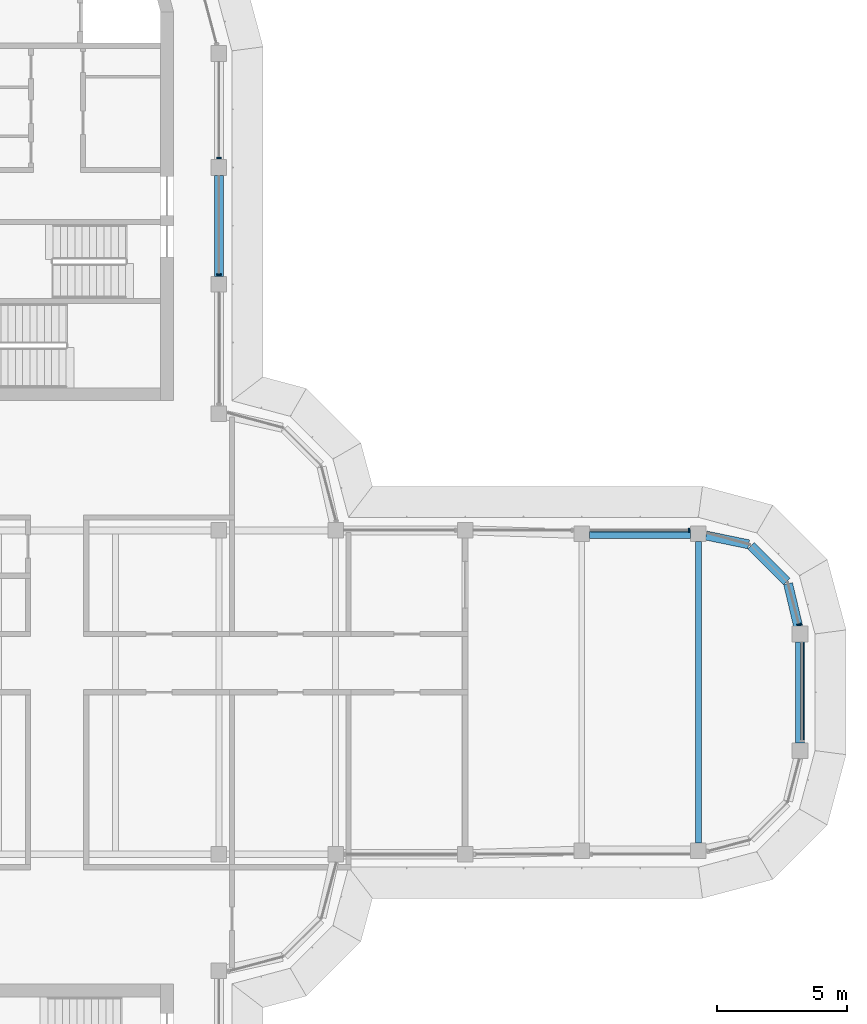
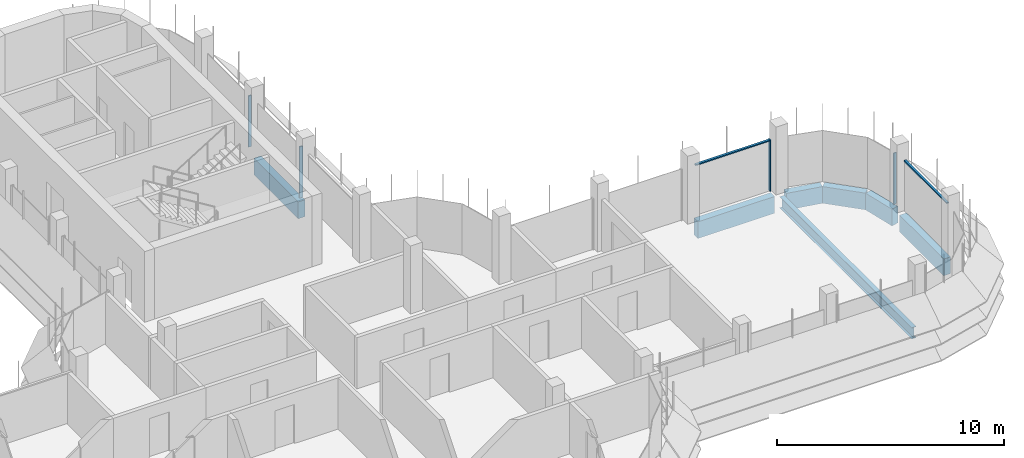
# One storey, part 9 of 19: 7 beams, 6 members, 4 elements without a shape of their own.
"""IFC4 building model written with IfcOpenShell, lengths in metres."""

import ifcopenshell
import ifcopenshell.guid

model = None  # the IFC model being written
_history = None  # IfcOwnerHistory: only IFC2X3 demands one
_inside = {}  # id of a spatial element -> (the spatial element, [elements in it])
_under = {}  # id of a project, library or spatial element -> (it, [spatial elements below it])
_declared = {}  # id of a project -> (the project, [libraries it declares])
_typed = {}  # id of a type object -> (the type object, [elements of that type])
_made_of = {}  # id of a material, layer set ... -> (it, [elements and type objects made of it])


def new_model(schema):
    """Start an empty IFC model of exactly this schema.

    Asked for "IFC4X3", IfcOpenShell would pick the latest addendum, in which some entities
    have other attributes; the version numbers below select the first issue.
    IFC2X3 requires an IfcOwnerHistory on every rooted entity: one is made here for all.
    """
    global model, _history
    if schema == "IFC4X3":
        model = ifcopenshell.file(schema_version=(4, 3, 0, 0))
    else:
        model = ifcopenshell.file(schema=schema)
    _inside.clear()
    _under.clear()
    _declared.clear()
    _typed.clear()
    _made_of.clear()
    _history = None
    if model.schema == "IFC2X3":
        org = make("IfcOrganization", Name="unknown")
        user = make(
            "IfcPersonAndOrganization",
            ThePerson=make("IfcPerson", FamilyName="unknown"),
            TheOrganization=org,
        )
        app = make(
            "IfcApplication",
            ApplicationDeveloper=org,
            Version="unknown",
            ApplicationFullName="unknown",
            ApplicationIdentifier="unknown",
        )
        _history = make(
            "IfcOwnerHistory",
            OwningUser=user,
            OwningApplication=app,
            ChangeAction="ADDED",
            CreationDate=0,
        )
    return model


def make(cls, **values):
    """One entity of the class cls with the attributes given. An attribute that is None is left unset."""
    return model.create_entity(
        cls, **{name: value for name, value in values.items() if value is not None}
    )


def rooted(cls, **values):
    """An entity with a GlobalId (a new one), such as an element, a storey or a relation."""
    return make(cls, GlobalId=ifcopenshell.guid.new(), OwnerHistory=_history, **values)


def si_unit(unit_type, name, prefix=None):
    """IfcSIUnit, for example si_unit("LENGTHUNIT", "METRE", prefix="MILLI")."""
    return make("IfcSIUnit", UnitType=unit_type, Prefix=prefix, Name=name)


def assignment(units):
    """IfcUnitAssignment: the units of a project."""
    return None if units is None else make("IfcUnitAssignment", Units=units)


def point(xyz):
    """IfcCartesianPoint."""
    return None if xyz is None else make("IfcCartesianPoint", Coordinates=xyz)


def direction(xyz):
    """IfcDirection."""
    return None if xyz is None else make("IfcDirection", DirectionRatios=xyz)


def frame(location, z_axis=None, x_axis=None):
    """IfcAxis2Placement3D, a coordinate frame: its origin and axes. An axis left out is left unset."""
    return make(
        "IfcAxis2Placement3D",
        Location=point(location),
        Axis=direction(z_axis),
        RefDirection=direction(x_axis),
    )


def frame_2d(location, x_axis=None):
    """IfcAxis2Placement2D, a coordinate frame in the plane: its origin and x axis."""
    return make(
        "IfcAxis2Placement2D", Location=point(location), RefDirection=direction(x_axis)
    )


def origin():
    """The frame at (0, 0, 0) with its axes left unset."""
    return frame((0.0, 0.0, 0.0))


def origin_2d():
    """The frame at (0, 0) in the plane with its x axis left unset."""
    return frame_2d((0.0, 0.0))


def place(relative_to, where):
    """IfcLocalPlacement: puts the frame where relative to a parent placement (None: the world)."""
    return make(
        "IfcLocalPlacement", PlacementRelTo=relative_to, RelativePlacement=where
    )


def context(
    kind, dimensions, precision=None, world=None, true_north=None, identifier=None
):
    """IfcGeometricRepresentationContext, for example the 3D "Model" context."""
    return make(
        "IfcGeometricRepresentationContext",
        ContextIdentifier=identifier,
        ContextType=kind,
        CoordinateSpaceDimension=dimensions,
        Precision=precision,
        WorldCoordinateSystem=world,
        TrueNorth=true_north,
    )


def subcontext(parent, identifier, kind, view, scale=None):
    """IfcGeometricRepresentationSubContext, for example "Body" below "Model"."""
    return make(
        "IfcGeometricRepresentationSubContext",
        ContextIdentifier=identifier,
        ContextType=kind,
        ParentContext=parent,
        TargetScale=scale,
        TargetView=view,
    )


def project(units=None, contexts=None):
    """IfcProject with its units and contexts."""
    return rooted(
        "IfcProject",
        Name="project",
        RepresentationContexts=contexts,
        UnitsInContext=assignment(units),
    )


def spatial(cls, under=None, at=None, **own):
    """A site, building, storey or space (cls), placed at a placement, below another one or the project."""
    s = rooted(cls, ObjectPlacement=at, **own)
    if under is not None:
        _under.setdefault(under.id(), (under, []))[1].append(s)
    return s


def polyline(points):
    """IfcPolyline through the points."""
    return make("IfcPolyline", Points=[point(p) for p in points])


def profile(cls, at=None, kind="AREA", **sizes):
    """A parametric profile (cls). Its sizes go by their IFC names, for example OverallWidth=200.0."""
    return make(cls, ProfileType=kind, Position=at, **sizes)


def rectangle(**sizes):
    """IfcRectangleProfileDef."""
    return profile("IfcRectangleProfileDef", **sizes)


def i_section(**sizes):
    """IfcIShapeProfileDef."""
    return profile("IfcIShapeProfileDef", **sizes)


def outline(outer, holes=None, kind="AREA"):
    """IfcArbitraryClosedProfileDef: a profile drawn as a closed curve; with holes, ...WithVoids."""
    if holes is None:
        return make("IfcArbitraryClosedProfileDef", ProfileType=kind, OuterCurve=outer)
    return make(
        "IfcArbitraryProfileDefWithVoids",
        ProfileType=kind,
        OuterCurve=outer,
        InnerCurves=holes,
    )


def extrude(swept, where, along, depth):
    """IfcExtrudedAreaSolid: the profile swept, set in the frame where, extruded along a direction by depth."""
    return make(
        "IfcExtrudedAreaSolid",
        SweptArea=swept,
        Position=where,
        ExtrudedDirection=direction(along),
        Depth=depth,
    )


def shape(context_of_items, identifier, shape_type, items):
    """IfcShapeRepresentation: the items that make up one representation, for example the "Body"."""
    return make(
        "IfcShapeRepresentation",
        ContextOfItems=context_of_items,
        RepresentationIdentifier=identifier,
        RepresentationType=shape_type,
        Items=items,
    )


def source(mapping_origin, context_of_items, identifier, shape_type, items):
    """IfcRepresentationMap: a shape defined once, which mapped items show again and again."""
    return make(
        "IfcRepresentationMap",
        MappingOrigin=mapping_origin,
        MappedRepresentation=shape(context_of_items, identifier, shape_type, items),
    )


def transform(
    local_origin,
    x_axis=None,
    y_axis=None,
    z_axis=None,
    scale=None,
    scale2=None,
    scale3=None,
    uniform=True,
):
    """IfcCartesianTransformationOperator3D, or its non-uniform kind. x_axis, y_axis, z_axis: its Axis1, 2, 3."""
    if uniform:
        return make(
            "IfcCartesianTransformationOperator3D",
            Axis1=direction(x_axis),
            Axis2=direction(y_axis),
            LocalOrigin=point(local_origin),
            Scale=scale,
            Axis3=direction(z_axis),
        )
    return make(
        "IfcCartesianTransformationOperator3DnonUniform",
        Axis1=direction(x_axis),
        Axis2=direction(y_axis),
        LocalOrigin=point(local_origin),
        Scale=scale,
        Axis3=direction(z_axis),
        Scale2=scale2,
        Scale3=scale3,
    )


def mapped(mapping_source, mapping_target):
    """IfcMappedItem: shows the shape of a source again, moved by a transform."""
    return make(
        "IfcMappedItem", MappingSource=mapping_source, MappingTarget=mapping_target
    )


def material(Name=None, Category=None):
    """IfcMaterial."""
    return make("IfcMaterial", Name=Name, Category=Category)


def material_profile(
    of_material, cross_section, Name=None, Category=None, Priority=None
):
    """IfcMaterialProfile: a cross section and its material."""
    return make(
        "IfcMaterialProfile",
        Name=Name,
        Material=of_material,
        Profile=cross_section,
        Priority=Priority,
        Category=Category,
    )


def profile_set(profiles, Name=None, composite=None):
    """IfcMaterialProfileSet."""
    return make(
        "IfcMaterialProfileSet",
        Name=Name,
        MaterialProfiles=profiles,
        CompositeProfile=composite,
    )


def made_of(thing, what):
    """Note that an element or type object is made of a material, layer set ...; save() writes the relation."""
    if what is not None:
        _made_of.setdefault(what.id(), (what, []))[1].append(thing)
    return thing


def type_object(cls, material=None, **own):
    """A type object (cls), such as IfcWallType, which elements share."""
    return made_of(rooted(cls, **own), material)


def element(
    cls,
    number,
    at=None,
    inside=None,
    cuts=None,
    type_object=None,
    material=None,
    context=None,
    identifier="Body",
    shape_type=None,
    held_by="IfcProductDefinitionShape",
    body=None,
    shapes=None,
    **own,
):
    """One element of the class cls, such as IfcWall. Its Tag is "e" and its number.

    at: its placement. inside: the storey or other place that contains it. cuts: it is an
    opening in that element (IfcRelVoidsElement). A single representation is given by context,
    identifier, shape_type and body (its items); several are given by shapes. held_by: the class
    of the entity that holds the representations. save() writes the other relations.
    """
    e = rooted(cls, Tag="e%d" % number, ObjectPlacement=at, **own)
    if body is not None:
        shapes = [shape(context, identifier, shape_type, body)]
    if shapes is not None:
        e.Representation = make(held_by, Representations=shapes)
    if inside is not None:
        _inside.setdefault(inside.id(), (inside, []))[1].append(e)
    if cuts is not None:
        rooted(
            "IfcRelVoidsElement", RelatingBuildingElement=cuts, RelatedOpeningElement=e
        )
    if type_object is not None:
        _typed.setdefault(type_object.id(), (type_object, []))[1].append(e)
    return made_of(e, material)


def aggregate(whole, parts):
    """IfcRelAggregates: a whole, such as a stair, and the parts it consists of."""
    return rooted("IfcRelAggregates", RelatingObject=whole, RelatedObjects=parts)


def save(model, path):
    """Write the relations noted so far, then the file.

    IfcRelAggregates (storeys below a building ...), IfcRelContainedInSpatialStructure (elements
    in a storey), IfcRelDefinesByType, IfcRelAssociatesMaterial and IfcRelDeclares: one each for
    every whole, place, type object, material and project.
    """
    for whole, parts in _under.values():
        aggregate(whole, parts)
    for where, things in _inside.values():
        rooted(
            "IfcRelContainedInSpatialStructure",
            RelatedElements=things,
            RelatingStructure=where,
        )
    for kind, things in _typed.values():
        rooted("IfcRelDefinesByType", RelatedObjects=things, RelatingType=kind)
    for what, things in _made_of.values():
        rooted("IfcRelAssociatesMaterial", RelatedObjects=things, RelatingMaterial=what)
    for by, libraries in _declared.values():
        rooted("IfcRelDeclares", RelatingContext=by, RelatedDefinitions=libraries)
    model.write(path)


model = new_model("IFC4")

# Units and contexts
model_context = context("Model", 3, precision=1e-05, world=origin(), true_north=direction((0.0, 1.0)))
body_context = subcontext(model_context, "Body", "Model", "MODEL_VIEW")
ifc_project = project(units=[si_unit("LENGTHUNIT", "METRE"), si_unit("AREAUNIT", "SQUARE_METRE"), si_unit("VOLUMEUNIT", "CUBIC_METRE"), si_unit("PLANEANGLEUNIT", "RADIAN"), si_unit("MASSUNIT", "GRAM", prefix="KILO")], contexts=[model_context])

# Site, building, storey
site_placement = place(None, origin())
site = spatial("IfcSite", under=ifc_project, at=site_placement, CompositionType="ELEMENT")
building_placement = place(site_placement, origin())
building = spatial("IfcBuilding", under=site, at=building_placement, Name="Zarbagh Exchange Tower", CompositionType="ELEMENT")
storey_placement = place(building_placement, frame((0.0, 0.0, 261.199951171875)))
storey = spatial("IfcBuildingStorey", under=building, at=storey_placement, Name="L64", CompositionType="ELEMENT", Elevation=261.199951171875)

# Beams
ifc_material_1 = material(Name="Steel ASTM A992 Gr 50", Category="steel")
ifc_material_profile_1 = material_profile(ifc_material_1, i_section(OverallWidth=0.228271484375, OverallDepth=0.607177734375, WebThickness=0.01123046875, FlangeThickness=0.017333984375, at=origin_2d()), Name="W24X76")
ifc_profile_set_1 = profile_set([ifc_material_profile_1], Name="Steel ASTM A992 Gr 50")
beam_type_1 = type_object("IfcBeamType", Name="Floor beam W24X76", PredefinedType="BEAM", material=ifc_profile_set_1)
beam_1_placement = place(storey_placement, frame((24.75, -5.81005859375, -0.453369140625), z_axis=(0.0, 1.0, 0.0), x_axis=(-1.0, 0.0, 0.0)))
element("IfcBeam", 1, at=beam_1_placement, inside=storey, type_object=beam_type_1, Name="Steel floor beam", PredefinedType="BEAM", context=body_context, shape_type="SweptSolid", body=[
    extrude(i_section(OverallWidth=0.228271484375, OverallDepth=0.607177734375, WebThickness=0.01123046875, FlangeThickness=0.017333984375, at=origin_2d()), origin(), (0.0, 0.0, 1.0), 11.6201171875),
])
ifc_material_2 = material(Name="Concrete C40/50", Category="concrete")
ifc_material_profile_2 = material_profile(ifc_material_2, rectangle(XDim=0.35009765625, YDim=0.89990234375, at=origin_2d()), Name="RC spandrel beam 350 x 900 C40/50")
ifc_profile_set_2 = profile_set([ifc_material_profile_2], Name="Concrete C40/50")
beam_type_2 = type_object("IfcBeamType", Name="RC spandrel beam 350 x 900 C40/50", PredefinedType="SPANDREL", material=ifc_profile_set_2)
for number, where, z_axis, x_axis, name in (
    (2, (6.25, 19.949951171875, -0.599853515625), (0.0, -1.0, 0.0), (1.0, 0.0, 0.0), "RC spandrel beam"),
    (3, (20.550048828125, 6.110107421875, -0.599853515625), (1.0, 0.0, 0.0), (0.0, 1.0, 0.0), "RC spandrel beam"),
):
    element("IfcBeam", number, at=place(storey_placement, frame(where, z_axis=z_axis, x_axis=x_axis)), inside=storey, type_object=beam_type_2, Name=name, PredefinedType="SPANDREL", context=body_context, shape_type="SweptSolid", body=[
        extrude(rectangle(XDim=0.35009765625, YDim=0.89990234375, at=origin_2d()), origin(), (0.0, 0.0, 1.0), 3.89990234375),
    ])
beam_2_placement = place(storey_placement, frame((25.043701171875, 6.04931640625, -0.599853515625), z_axis=(0.979349753205, -0.202173343684, 0.0), x_axis=(0.202173343684, 0.979349753205, 0.0)))
element("IfcBeam", 4, at=beam_2_placement, inside=storey, type_object=beam_type_2, Name="RC spandrel beam", PredefinedType="SPANDREL", context=body_context, shape_type="SweptSolid", body=[
    extrude(rectangle(XDim=0.35009765625, YDim=0.89990234375, at=origin_2d()), origin(), (0.0, 0.0, 1.0), 1.680908203125),
])
beam_3_placement = place(storey_placement, frame((26.7783203125, 5.661865234375, -0.599853515625), z_axis=(0.707106781187, -0.707106781187, 0.0), x_axis=(0.707106781187, 0.707106781187, 0.0)))
element("IfcBeam", 5, at=beam_3_placement, inside=storey, type_object=beam_type_2, Name="RC spandrel beam", PredefinedType="SPANDREL", context=body_context, shape_type="SweptSolid", body=[
    extrude(rectangle(XDim=0.35009765625, YDim=0.89990234375, at=origin_2d()), origin(), (0.0, 0.0, 1.0), 1.95947265625),
])
beam_4_placement = place(storey_placement, frame((28.210205078125, 4.19287109375, -0.599853515625), z_axis=(0.230258391117, -0.973129525459, 0.0), x_axis=(0.973129525459, 0.230258391117, 0.0)))
element("IfcBeam", 6, at=beam_4_placement, inside=storey, type_object=beam_type_2, Name="RC spandrel beam", PredefinedType="SPANDREL", context=body_context, shape_type="SweptSolid", body=[
    extrude(rectangle(XDim=0.35009765625, YDim=0.89990234375, at=origin_2d()), origin(), (0.0, 0.0, 1.0), 1.696533203125),
])
beam_5_placement = place(storey_placement, frame((28.669921875, 1.949951171875, -0.599853515625), z_axis=(0.0, -1.0, 0.0), x_axis=(1.0, 0.0, 0.0)))
element("IfcBeam", 7, at=beam_5_placement, inside=storey, type_object=beam_type_2, Name="RC spandrel beam", PredefinedType="SPANDREL", context=body_context, shape_type="SweptSolid", body=[
    extrude(rectangle(XDim=0.35009765625, YDim=0.89990234375, at=origin_2d()), origin(), (0.0, 0.0, 1.0), 3.89990234375),
])

# Curtain wall, member
ifc_material_3 = material(Name="Anodised aluminium frame and glazing", Category="aluminium")
curtain_wall_type = type_object("IfcCurtainWallType", Name="CWB Ribbon glazing, upper zones", PredefinedType="NOTDEFINED", material=ifc_material_3)
curtain_wall_1_placement = place(storey_placement, origin())
curtain_wall_1 = element("IfcCurtainWall", 8, at=curtain_wall_1_placement, inside=storey, type_object=curtain_wall_type, Name="CWB79 curtain wall", PredefinedType="NOTDEFINED")
ifc_material_4 = material(Name="Anodised aluminium frame", Category="aluminium")
member_type_1 = type_object("IfcMemberType", Name="MUB Mullion, anodised aluminium frame", PredefinedType="MULLION", material=ifc_material_4)
shared_shape_1 = source(origin(), body_context, "Body", "SweptSolid", [
    extrude(outline(polyline([(0.0, -0.080078125), (0.06005859375, -0.080078125), (0.06005859375, 0.080078125), (0.0, 0.080078125), (0.0, -0.080078125)])), origin(), (0.0, 0.0, 1.0), 2.75),
])
placement = place(storey_placement, origin())
member_1 = element("IfcMember", 9, at=placement, type_object=member_type_1, Name="CWB79 mullion 1.1", PredefinedType="MULLION", context=body_context, shape_type="MappedRepresentation", body=[
    mapped(shared_shape_1, transform((28.641357421875, 2.58984375, 0.0), x_axis=(-0.258824779902, 0.965924289636, 0.0), y_axis=(-0.965924289636, -0.258824779902, 0.0), z_axis=(0.0, 0.0, 1.0))),
])
aggregate(curtain_wall_1, [member_1])

curtain_wall_2_placement = place(storey_placement, origin())
curtain_wall_2 = element("IfcCurtainWall", 10, at=curtain_wall_2_placement, inside=storey, type_object=curtain_wall_type, Name="CWB82 curtain wall", PredefinedType="NOTDEFINED")
member_2 = element("IfcMember", 11, at=placement, type_object=member_type_1, Name="CWB82 mullion 1.1", PredefinedType="MULLION", context=body_context, shape_type="MappedRepresentation", body=[
    mapped(shared_shape_1, transform((24.409912109375, 6.25, 0.0), x_axis=(-1.0, 0.0, 0.0), y_axis=(0.0, -1.0, 0.0), z_axis=(0.0, 0.0, 1.0))),
])

# Curtain wall, members
curtain_wall_3_placement = place(storey_placement, origin())
curtain_wall_3 = element("IfcCurtainWall", 12, at=curtain_wall_3_placement, inside=storey, type_object=curtain_wall_type, Name="CWB67 curtain wall", PredefinedType="NOTDEFINED")
member_3 = element("IfcMember", 13, at=placement, type_object=member_type_1, Name="CWB67 mullion 2.1", PredefinedType="MULLION", context=body_context, shape_type="MappedRepresentation", body=[
    mapped(shared_shape_1, transform((6.25, 16.090087890625, 0.0), x_axis=(0.0, 1.0, 0.0), y_axis=(-1.0, 0.0, 0.0), z_axis=(0.0, 0.0, 1.0))),
])
member_4 = element("IfcMember", 14, at=placement, type_object=member_type_1, Name="CWB67 mullion 3.1", PredefinedType="MULLION", context=body_context, shape_type="MappedRepresentation", body=[
    mapped(shared_shape_1, transform((6.25, 20.590087890625, 0.0), x_axis=(0.0, 1.0, 0.0), y_axis=(-1.0, 0.0, 0.0), z_axis=(0.0, 0.0, 1.0))),
])
aggregate(curtain_wall_3, [member_3, member_4])

# Curtain wall, member
curtain_wall_4_placement = place(storey_placement, origin())
curtain_wall_4 = element("IfcCurtainWall", 15, at=curtain_wall_4_placement, inside=storey, type_object=curtain_wall_type, Name="CWB83 curtain wall", PredefinedType="NOTDEFINED")
member_type_2 = type_object("IfcMemberType", Name="TRB Transom, anodised aluminium frame", PredefinedType="USERDEFINED", material=ifc_material_4)
shared_shape_2 = source(origin(), body_context, "Body", "SweptSolid", [
    extrude(outline(polyline([(-0.06005859375, -0.06005859375), (0.0, -0.06005859375), (0.0, 0.06005859375), (-0.06005859375, 0.06005859375), (-0.06005859375, -0.06005859375)])), origin(), (0.0, 0.0, 1.0), 3.760009765625),
])
member_5 = element("IfcMember", 16, at=placement, type_object=member_type_2, Name="CWB83 transom 1.1", ObjectType="TRANSOM", PredefinedType="USERDEFINED", context=body_context, shape_type="MappedRepresentation", body=[
    mapped(shared_shape_2, transform((28.75, -1.849853515625, 2.75), x_axis=(0.0, 0.0, 1.0), y_axis=(1.0, 0.0, 0.0), z_axis=(0.0, 1.0, 0.0))),
])
aggregate(curtain_wall_4, [member_5])

# Member
member_6 = element("IfcMember", 17, at=placement, type_object=member_type_2, Name="CWB82 transom 1.1", ObjectType="TRANSOM", PredefinedType="USERDEFINED", context=body_context, shape_type="MappedRepresentation", body=[
    mapped(shared_shape_2, transform((24.349853515625, 6.25, 2.75), x_axis=(0.0, 0.0, 1.0), y_axis=(0.0, 1.0, 0.0), z_axis=(-1.0, 0.0, 0.0))),
])

aggregate(curtain_wall_2, [member_2, member_6])

save(model, "model.ifc")
